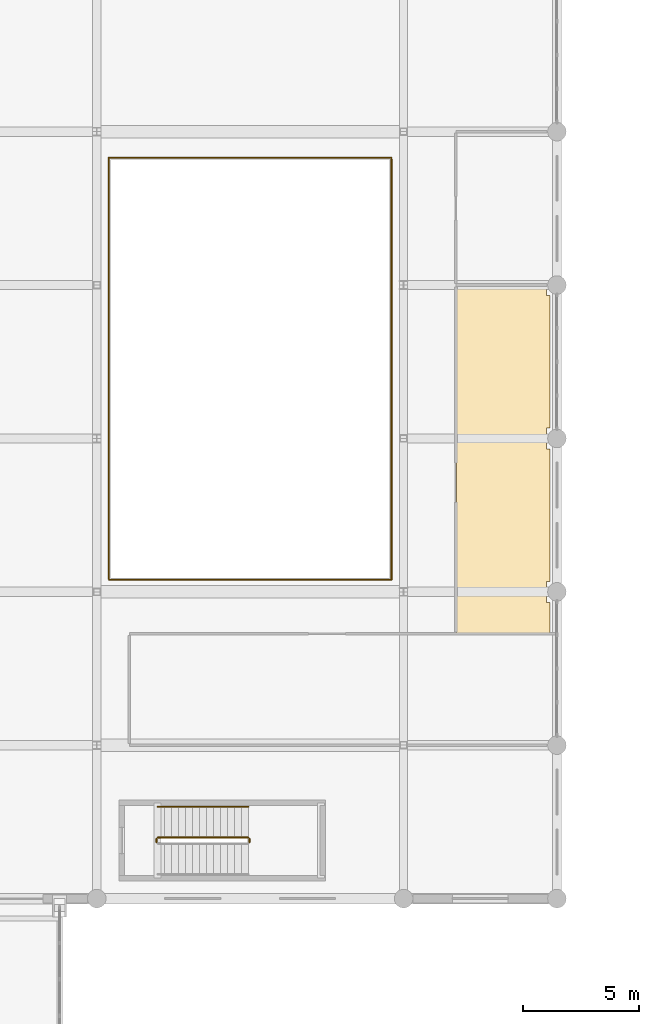
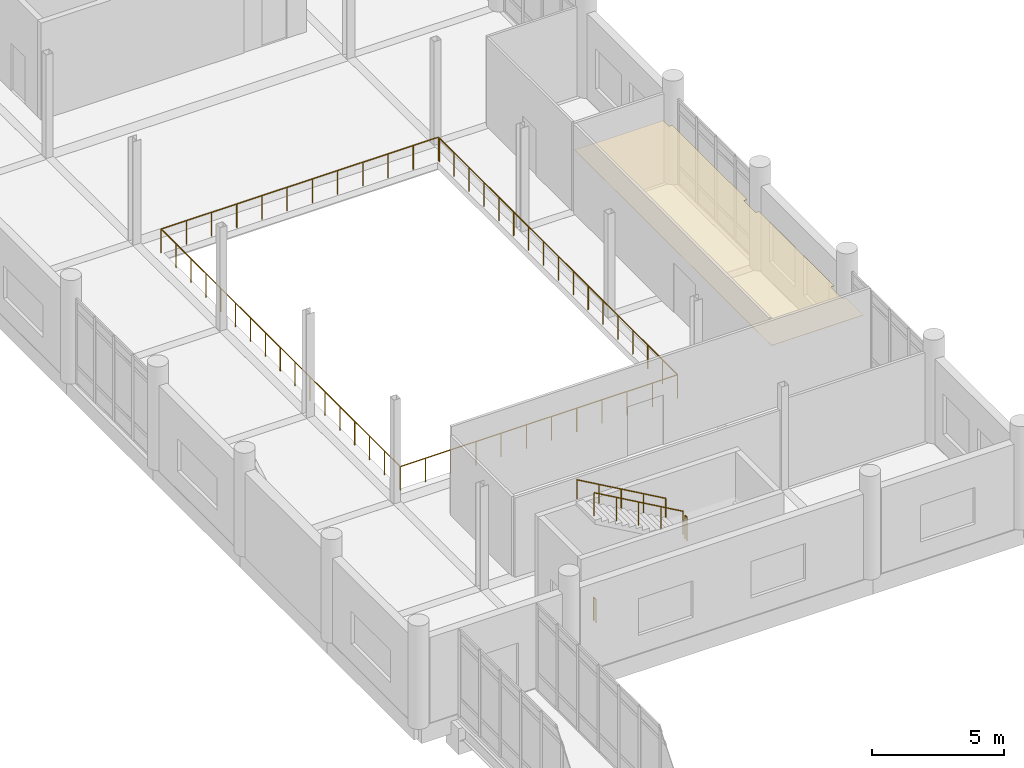
# One storey, part 82 of 101: 6 railings, 1 covering.
"""IFC4 building model written with IfcOpenShell, lengths in metres."""

import ifcopenshell
import ifcopenshell.guid

model = None  # the IFC model being written
_history = None  # IfcOwnerHistory: only IFC2X3 demands one
_inside = {}  # id of a spatial element -> (the spatial element, [elements in it])
_under = {}  # id of a project, library or spatial element -> (it, [spatial elements below it])
_declared = {}  # id of a project -> (the project, [libraries it declares])
_typed = {}  # id of a type object -> (the type object, [elements of that type])
_made_of = {}  # id of a material, layer set ... -> (it, [elements and type objects made of it])


def new_model(schema):
    """Start an empty IFC model of exactly this schema.

    Asked for "IFC4X3", IfcOpenShell would pick the latest addendum, in which some entities
    have other attributes; the version numbers below select the first issue.
    IFC2X3 requires an IfcOwnerHistory on every rooted entity: one is made here for all.
    """
    global model, _history
    if schema == "IFC4X3":
        model = ifcopenshell.file(schema_version=(4, 3, 0, 0))
    else:
        model = ifcopenshell.file(schema=schema)
    _inside.clear()
    _under.clear()
    _declared.clear()
    _typed.clear()
    _made_of.clear()
    _history = None
    if model.schema == "IFC2X3":
        org = make("IfcOrganization", Name="unknown")
        user = make(
            "IfcPersonAndOrganization",
            ThePerson=make("IfcPerson", FamilyName="unknown"),
            TheOrganization=org,
        )
        app = make(
            "IfcApplication",
            ApplicationDeveloper=org,
            Version="unknown",
            ApplicationFullName="unknown",
            ApplicationIdentifier="unknown",
        )
        _history = make(
            "IfcOwnerHistory",
            OwningUser=user,
            OwningApplication=app,
            ChangeAction="ADDED",
            CreationDate=0,
        )
    return model


def make(cls, **values):
    """One entity of the class cls with the attributes given. An attribute that is None is left unset."""
    return model.create_entity(
        cls, **{name: value for name, value in values.items() if value is not None}
    )


def rooted(cls, **values):
    """An entity with a GlobalId (a new one), such as an element, a storey or a relation."""
    return make(cls, GlobalId=ifcopenshell.guid.new(), OwnerHistory=_history, **values)


def si_unit(unit_type, name, prefix=None):
    """IfcSIUnit, for example si_unit("LENGTHUNIT", "METRE", prefix="MILLI")."""
    return make("IfcSIUnit", UnitType=unit_type, Prefix=prefix, Name=name)


def assignment(units):
    """IfcUnitAssignment: the units of a project."""
    return None if units is None else make("IfcUnitAssignment", Units=units)


def point(xyz):
    """IfcCartesianPoint."""
    return None if xyz is None else make("IfcCartesianPoint", Coordinates=xyz)


def direction(xyz):
    """IfcDirection."""
    return None if xyz is None else make("IfcDirection", DirectionRatios=xyz)


def frame(location, z_axis=None, x_axis=None):
    """IfcAxis2Placement3D, a coordinate frame: its origin and axes. An axis left out is left unset."""
    return make(
        "IfcAxis2Placement3D",
        Location=point(location),
        Axis=direction(z_axis),
        RefDirection=direction(x_axis),
    )


def frame_2d(location, x_axis=None):
    """IfcAxis2Placement2D, a coordinate frame in the plane: its origin and x axis."""
    return make(
        "IfcAxis2Placement2D", Location=point(location), RefDirection=direction(x_axis)
    )


def origin():
    """The frame at (0, 0, 0) with its axes left unset."""
    return frame((0.0, 0.0, 0.0))


def origin_2d():
    """The frame at (0, 0) in the plane with its x axis left unset."""
    return frame_2d((0.0, 0.0))


def place(relative_to, where):
    """IfcLocalPlacement: puts the frame where relative to a parent placement (None: the world)."""
    return make(
        "IfcLocalPlacement", PlacementRelTo=relative_to, RelativePlacement=where
    )


def context(
    kind, dimensions, precision=None, world=None, true_north=None, identifier=None
):
    """IfcGeometricRepresentationContext, for example the 3D "Model" context."""
    return make(
        "IfcGeometricRepresentationContext",
        ContextIdentifier=identifier,
        ContextType=kind,
        CoordinateSpaceDimension=dimensions,
        Precision=precision,
        WorldCoordinateSystem=world,
        TrueNorth=true_north,
    )


def subcontext(parent, identifier, kind, view, scale=None):
    """IfcGeometricRepresentationSubContext, for example "Body" below "Model"."""
    return make(
        "IfcGeometricRepresentationSubContext",
        ContextIdentifier=identifier,
        ContextType=kind,
        ParentContext=parent,
        TargetScale=scale,
        TargetView=view,
    )


def project(units=None, contexts=None):
    """IfcProject with its units and contexts."""
    return rooted(
        "IfcProject",
        Name="project",
        RepresentationContexts=contexts,
        UnitsInContext=assignment(units),
    )


def spatial(cls, under=None, at=None, **own):
    """A site, building, storey or space (cls), placed at a placement, below another one or the project."""
    s = rooted(cls, ObjectPlacement=at, **own)
    if under is not None:
        _under.setdefault(under.id(), (under, []))[1].append(s)
    return s


def polyline(points):
    """IfcPolyline through the points."""
    return make("IfcPolyline", Points=[point(p) for p in points])


def profile(cls, at=None, kind="AREA", **sizes):
    """A parametric profile (cls). Its sizes go by their IFC names, for example OverallWidth=200.0."""
    return make(cls, ProfileType=kind, Position=at, **sizes)


def circle(**sizes):
    """IfcCircleProfileDef."""
    return profile("IfcCircleProfileDef", **sizes)


def outline(outer, holes=None, kind="AREA"):
    """IfcArbitraryClosedProfileDef: a profile drawn as a closed curve; with holes, ...WithVoids."""
    if holes is None:
        return make("IfcArbitraryClosedProfileDef", ProfileType=kind, OuterCurve=outer)
    return make(
        "IfcArbitraryProfileDefWithVoids",
        ProfileType=kind,
        OuterCurve=outer,
        InnerCurves=holes,
    )


def extrude(swept, where, along, depth):
    """IfcExtrudedAreaSolid: the profile swept, set in the frame where, extruded along a direction by depth."""
    return make(
        "IfcExtrudedAreaSolid",
        SweptArea=swept,
        Position=where,
        ExtrudedDirection=direction(along),
        Depth=depth,
    )


def shape(context_of_items, identifier, shape_type, items):
    """IfcShapeRepresentation: the items that make up one representation, for example the "Body"."""
    return make(
        "IfcShapeRepresentation",
        ContextOfItems=context_of_items,
        RepresentationIdentifier=identifier,
        RepresentationType=shape_type,
        Items=items,
    )


def material(Name=None, Category=None):
    """IfcMaterial."""
    return make("IfcMaterial", Name=Name, Category=Category)


def layer(
    of_material, thickness, ventilated=None, Name=None, Category=None, Priority=None
):
    """IfcMaterialLayer: one layer of a wall or slab, of a material (None: an air gap)."""
    return make(
        "IfcMaterialLayer",
        Material=of_material,
        LayerThickness=thickness,
        IsVentilated=ventilated,
        Name=Name,
        Category=Category,
        Priority=Priority,
    )


def layer_set(layers, Name=None):
    """IfcMaterialLayerSet."""
    return make("IfcMaterialLayerSet", MaterialLayers=layers, LayerSetName=Name)


def made_of(thing, what):
    """Note that an element or type object is made of a material, layer set ...; save() writes the relation."""
    if what is not None:
        _made_of.setdefault(what.id(), (what, []))[1].append(thing)
    return thing


def type_object(cls, material=None, **own):
    """A type object (cls), such as IfcWallType, which elements share."""
    return made_of(rooted(cls, **own), material)


def element(
    cls,
    number,
    at=None,
    inside=None,
    cuts=None,
    type_object=None,
    material=None,
    context=None,
    identifier="Body",
    shape_type=None,
    held_by="IfcProductDefinitionShape",
    body=None,
    shapes=None,
    **own,
):
    """One element of the class cls, such as IfcWall. Its Tag is "e" and its number.

    at: its placement. inside: the storey or other place that contains it. cuts: it is an
    opening in that element (IfcRelVoidsElement). A single representation is given by context,
    identifier, shape_type and body (its items); several are given by shapes. held_by: the class
    of the entity that holds the representations. save() writes the other relations.
    """
    e = rooted(cls, Tag="e%d" % number, ObjectPlacement=at, **own)
    if body is not None:
        shapes = [shape(context, identifier, shape_type, body)]
    if shapes is not None:
        e.Representation = make(held_by, Representations=shapes)
    if inside is not None:
        _inside.setdefault(inside.id(), (inside, []))[1].append(e)
    if cuts is not None:
        rooted(
            "IfcRelVoidsElement", RelatingBuildingElement=cuts, RelatedOpeningElement=e
        )
    if type_object is not None:
        _typed.setdefault(type_object.id(), (type_object, []))[1].append(e)
    return made_of(e, material)


def aggregate(whole, parts):
    """IfcRelAggregates: a whole, such as a stair, and the parts it consists of."""
    return rooted("IfcRelAggregates", RelatingObject=whole, RelatedObjects=parts)


def save(model, path):
    """Write the relations noted so far, then the file.

    IfcRelAggregates (storeys below a building ...), IfcRelContainedInSpatialStructure (elements
    in a storey), IfcRelDefinesByType, IfcRelAssociatesMaterial and IfcRelDeclares: one each for
    every whole, place, type object, material and project.
    """
    for whole, parts in _under.values():
        aggregate(whole, parts)
    for where, things in _inside.values():
        rooted(
            "IfcRelContainedInSpatialStructure",
            RelatedElements=things,
            RelatingStructure=where,
        )
    for kind, things in _typed.values():
        rooted("IfcRelDefinesByType", RelatedObjects=things, RelatingType=kind)
    for what, things in _made_of.values():
        rooted("IfcRelAssociatesMaterial", RelatedObjects=things, RelatingMaterial=what)
    for by, libraries in _declared.values():
        rooted("IfcRelDeclares", RelatingContext=by, RelatedDefinitions=libraries)
    model.write(path)


model = new_model("IFC4")

# Units and contexts
model_context = context("Model", 3, precision=1e-05, world=origin(), true_north=direction((0.0, 1.0)))
body_context = subcontext(model_context, "Body", "Model", "MODEL_VIEW")
ifc_project = project(units=[si_unit("LENGTHUNIT", "METRE"), si_unit("AREAUNIT", "SQUARE_METRE"), si_unit("VOLUMEUNIT", "CUBIC_METRE"), si_unit("PLANEANGLEUNIT", "RADIAN"), si_unit("MASSUNIT", "GRAM", prefix="KILO")], contexts=[model_context])

# Site, building, storey
site_placement = place(None, origin())
site = spatial("IfcSite", under=ifc_project, at=site_placement, CompositionType="ELEMENT")
building_placement = place(site_placement, origin())
building = spatial("IfcBuilding", under=site, at=building_placement, Name="Dornvale Research Institute", CompositionType="ELEMENT")
storey_placement = place(building_placement, frame((0.0, 0.0, 10.199951171875)))
storey = spatial("IfcBuildingStorey", under=building, at=storey_placement, Name="L02", CompositionType="ELEMENT", Elevation=10.199951171875)

# Covering
ifc_material_1 = material(Name="Mineral-Fibre Acoustic Lay-In Ceiling Tile System")
ifc_layer_1 = layer(ifc_material_1, 0.02001953125)
ifc_layer_set_1 = layer_set([ifc_layer_1], Name="Mineral-Fibre Acoustic Lay-In Ceiling Tile System")
covering_type = type_object("IfcCoveringType", Name="Covering_Acoustic_Ceiling", PredefinedType="CEILING", material=ifc_layer_set_1)
covering_placement = place(storey_placement, frame((0.0, 0.0, 2.85009765625)))
element("IfcCovering", 1, at=covering_placement, inside=storey, type_object=covering_type, Name="L02 Civic Science Seminar Room L02 suspended ceiling", PredefinedType="CEILING", context=body_context, shape_type="SweptSolid", body=[
    extrude(outline(polyline([(65.550048828125, 65.97998046875), (65.550048828125, 65.550048828125), (65.699951171875, 65.550048828125), (65.699951171875, 59.85009765625), (65.550048828125, 59.85009765625), (65.550048828125, 58.949951171875), (65.699951171875, 58.949951171875), (65.699951171875, 53.25), (65.550048828125, 53.25), (65.550048828125, 52.35009765625), (65.699951171875, 52.35009765625), (65.699951171875, 51.02001953125), (61.669921875, 51.02001953125), (61.669921875, 65.97998046875), (65.550048828125, 65.97998046875)])), origin(), (0.0, 0.0, 1.0), 0.02001953125),
])

# Railings
ifc_material_2 = material(Name="Architectural Bronze-Anodized Steel Balustrade", Category="steel")
ifc_layer_2 = layer(ifc_material_2, 0.070068359375)
ifc_layer_set_2 = layer_set([ifc_layer_2], Name="Architectural Bronze-Anodized Steel Balustrade")
railing_type_1 = type_object("IfcRailingType", Name="Railing_Atrium_Balustrade_1120", PredefinedType="BALUSTRADE", material=ifc_layer_set_2)
railing_1_placement = place(storey_placement, frame((46.719970703125, 53.320068359375, 0.0)))
element("IfcRailing", 2, at=railing_1_placement, inside=storey, type_object=railing_type_1, Name="L02 BAL-ATR balustrade SE", PredefinedType="BALUSTRADE", context=body_context, shape_type="SweptSolid", body=[
    extrude(circle(Radius=0.02392578125, at=origin_2d()), frame((0.0, 0.0, 1.09619140625), z_axis=(1.0, 0.0, 0.0), x_axis=(0.0, 1.0, 0.0)), (0.0, 0.0, 1.0), 12.159912109375),
    extrude(circle(Radius=0.02392578125, at=origin_2d()), frame((12.159912109375, 0.0, 1.09619140625), z_axis=(0.0, 1.0, 0.0), x_axis=(-1.0, 0.0, 0.0)), (0.0, 0.0, 1.0), 18.099853515625),
    extrude(circle(Radius=0.02099609375, at=origin_2d()), origin(), (0.0, 0.0, 1.0), 1.072021484375),
    extrude(circle(Radius=0.02099609375, at=origin_2d()), frame((1.10546875, 0.0, 0.0)), (0.0, 0.0, 1.0), 1.072021484375),
    extrude(circle(Radius=0.02099609375, at=origin_2d()), frame((2.2109375, 0.0, 0.0)), (0.0, 0.0, 1.0), 1.072021484375),
    extrude(circle(Radius=0.02099609375, at=origin_2d()), frame((3.31640625, 0.0, 0.0)), (0.0, 0.0, 1.0), 1.072021484375),
    extrude(circle(Radius=0.02099609375, at=origin_2d()), frame((4.421875, 0.0, 0.0)), (0.0, 0.0, 1.0), 1.072021484375),
    extrude(circle(Radius=0.02099609375, at=origin_2d()), frame((5.52734375, 0.0, 0.0)), (0.0, 0.0, 1.0), 1.072021484375),
    extrude(circle(Radius=0.02099609375, at=origin_2d()), frame((6.632568359375, 0.0, 0.0)), (0.0, 0.0, 1.0), 1.072021484375),
    extrude(circle(Radius=0.02099609375, at=origin_2d()), frame((7.738037109375, 0.0, 0.0)), (0.0, 0.0, 1.0), 1.072021484375),
    extrude(circle(Radius=0.02099609375, at=origin_2d()), frame((8.843505859375, 0.0, 0.0)), (0.0, 0.0, 1.0), 1.072021484375),
    extrude(circle(Radius=0.02099609375, at=origin_2d()), frame((9.948974609375, 0.0, 0.0)), (0.0, 0.0, 1.0), 1.072021484375),
    extrude(circle(Radius=0.02099609375, at=origin_2d()), frame((11.054443359375, 0.0, 0.0)), (0.0, 0.0, 1.0), 1.072021484375),
    extrude(circle(Radius=0.02099609375, at=origin_2d()), frame((12.159912109375, 0.0, 0.0)), (0.0, 0.0, 1.0), 1.072021484375),
    extrude(circle(Radius=0.02099609375, at=origin_2d()), frame((12.159912109375, 1.13134765625, 0.0)), (0.0, 0.0, 1.0), 1.072021484375),
    extrude(circle(Radius=0.02099609375, at=origin_2d()), frame((12.159912109375, 2.262451171875, 0.0)), (0.0, 0.0, 1.0), 1.072021484375),
    extrude(circle(Radius=0.02099609375, at=origin_2d()), frame((12.159912109375, 3.393798828125, 0.0)), (0.0, 0.0, 1.0), 1.072021484375),
    extrude(circle(Radius=0.02099609375, at=origin_2d()), frame((12.159912109375, 4.52490234375, 0.0)), (0.0, 0.0, 1.0), 1.072021484375),
    extrude(circle(Radius=0.02099609375, at=origin_2d()), frame((12.159912109375, 5.65625, 0.0)), (0.0, 0.0, 1.0), 1.072021484375),
    extrude(circle(Radius=0.02099609375, at=origin_2d()), frame((12.159912109375, 6.787353515625, 0.0)), (0.0, 0.0, 1.0), 1.072021484375),
    extrude(circle(Radius=0.02099609375, at=origin_2d()), frame((12.159912109375, 7.918701171875, 0.0)), (0.0, 0.0, 1.0), 1.072021484375),
    extrude(circle(Radius=0.02099609375, at=origin_2d()), frame((12.159912109375, 9.0498046875, 0.0)), (0.0, 0.0, 1.0), 1.072021484375),
    extrude(circle(Radius=0.02099609375, at=origin_2d()), frame((12.159912109375, 10.18115234375, 0.0)), (0.0, 0.0, 1.0), 1.072021484375),
    extrude(circle(Radius=0.02099609375, at=origin_2d()), frame((12.159912109375, 11.3125, 0.0)), (0.0, 0.0, 1.0), 1.072021484375),
    extrude(circle(Radius=0.02099609375, at=origin_2d()), frame((12.159912109375, 12.443603515625, 0.0)), (0.0, 0.0, 1.0), 1.072021484375),
    extrude(circle(Radius=0.02099609375, at=origin_2d()), frame((12.159912109375, 13.574951171875, 0.0)), (0.0, 0.0, 1.0), 1.072021484375),
    extrude(circle(Radius=0.02099609375, at=origin_2d()), frame((12.159912109375, 14.7060546875, 0.0)), (0.0, 0.0, 1.0), 1.072021484375),
    extrude(circle(Radius=0.02099609375, at=origin_2d()), frame((12.159912109375, 15.83740234375, 0.0)), (0.0, 0.0, 1.0), 1.072021484375),
    extrude(circle(Radius=0.02099609375, at=origin_2d()), frame((12.159912109375, 16.968505859375, 0.0)), (0.0, 0.0, 1.0), 1.072021484375),
    extrude(circle(Radius=0.02099609375, at=origin_2d()), frame((12.159912109375, 18.099853515625, 0.0)), (0.0, 0.0, 1.0), 1.072021484375),
])
railing_2_placement = place(storey_placement, frame((58.8798828125, 71.47998046875, 0.0)))
element("IfcRailing", 3, at=railing_2_placement, inside=storey, type_object=railing_type_1, Name="L02 BAL-ATR balustrade NW", PredefinedType="BALUSTRADE", context=body_context, shape_type="SweptSolid", body=[
    extrude(circle(Radius=0.02392578125, at=origin_2d()), frame((0.0, 0.0, 1.09619140625), z_axis=(-1.0, 0.0, 0.0), x_axis=(0.0, -1.0, 0.0)), (0.0, 0.0, 1.0), 12.159912109375),
    extrude(circle(Radius=0.02392578125, at=origin_2d()), frame((-12.159912109375, 0.0, 1.09619140625), z_axis=(0.0, -1.0, 0.0), x_axis=(1.0, 0.0, 0.0)), (0.0, 0.0, 1.0), 18.10009765625),
    extrude(circle(Radius=0.02099609375, at=origin_2d()), origin(), (0.0, 0.0, 1.0), 1.072021484375),
    extrude(circle(Radius=0.02099609375, at=origin_2d()), frame((-1.10546875, 0.0, 0.0)), (0.0, 0.0, 1.0), 1.072021484375),
    extrude(circle(Radius=0.02099609375, at=origin_2d()), frame((-2.2109375, 0.0, 0.0)), (0.0, 0.0, 1.0), 1.072021484375),
    extrude(circle(Radius=0.02099609375, at=origin_2d()), frame((-3.31640625, 0.0, 0.0)), (0.0, 0.0, 1.0), 1.072021484375),
    extrude(circle(Radius=0.02099609375, at=origin_2d()), frame((-4.421875, 0.0, 0.0)), (0.0, 0.0, 1.0), 1.072021484375),
    extrude(circle(Radius=0.02099609375, at=origin_2d()), frame((-5.52734375, 0.0, 0.0)), (0.0, 0.0, 1.0), 1.072021484375),
    extrude(circle(Radius=0.02099609375, at=origin_2d()), frame((-6.632568359375, 0.0, 0.0)), (0.0, 0.0, 1.0), 1.072021484375),
    extrude(circle(Radius=0.02099609375, at=origin_2d()), frame((-7.738037109375, 0.0, 0.0)), (0.0, 0.0, 1.0), 1.072021484375),
    extrude(circle(Radius=0.02099609375, at=origin_2d()), frame((-8.843505859375, 0.0, 0.0)), (0.0, 0.0, 1.0), 1.072021484375),
    extrude(circle(Radius=0.02099609375, at=origin_2d()), frame((-9.948974609375, 0.0, 0.0)), (0.0, 0.0, 1.0), 1.072021484375),
    extrude(circle(Radius=0.02099609375, at=origin_2d()), frame((-11.054443359375, 0.0, 0.0)), (0.0, 0.0, 1.0), 1.072021484375),
    extrude(circle(Radius=0.02099609375, at=origin_2d()), frame((-12.159912109375, 0.0, 0.0)), (0.0, 0.0, 1.0), 1.072021484375),
    extrude(circle(Radius=0.02099609375, at=origin_2d()), frame((-12.159912109375, -1.13134765625, 0.0)), (0.0, 0.0, 1.0), 1.072021484375),
    extrude(circle(Radius=0.02099609375, at=origin_2d()), frame((-12.159912109375, -2.262451171875, 0.0)), (0.0, 0.0, 1.0), 1.072021484375),
    extrude(circle(Radius=0.02099609375, at=origin_2d()), frame((-12.159912109375, -3.393798828125, 0.0)), (0.0, 0.0, 1.0), 1.072021484375),
    extrude(circle(Radius=0.02099609375, at=origin_2d()), frame((-12.159912109375, -4.52490234375, 0.0)), (0.0, 0.0, 1.0), 1.072021484375),
    extrude(circle(Radius=0.02099609375, at=origin_2d()), frame((-12.159912109375, -5.65625, 0.0)), (0.0, 0.0, 1.0), 1.072021484375),
    extrude(circle(Radius=0.02099609375, at=origin_2d()), frame((-12.159912109375, -6.78759765625, 0.0)), (0.0, 0.0, 1.0), 1.072021484375),
    extrude(circle(Radius=0.02099609375, at=origin_2d()), frame((-12.159912109375, -7.918701171875, 0.0)), (0.0, 0.0, 1.0), 1.072021484375),
    extrude(circle(Radius=0.02099609375, at=origin_2d()), frame((-12.159912109375, -9.050048828125, 0.0)), (0.0, 0.0, 1.0), 1.072021484375),
    extrude(circle(Radius=0.02099609375, at=origin_2d()), frame((-12.159912109375, -10.181396484375, 0.0)), (0.0, 0.0, 1.0), 1.072021484375),
    extrude(circle(Radius=0.02099609375, at=origin_2d()), frame((-12.159912109375, -11.3125, 0.0)), (0.0, 0.0, 1.0), 1.072021484375),
    extrude(circle(Radius=0.02099609375, at=origin_2d()), frame((-12.159912109375, -12.44384765625, 0.0)), (0.0, 0.0, 1.0), 1.072021484375),
    extrude(circle(Radius=0.02099609375, at=origin_2d()), frame((-12.159912109375, -13.5751953125, 0.0)), (0.0, 0.0, 1.0), 1.072021484375),
    extrude(circle(Radius=0.02099609375, at=origin_2d()), frame((-12.159912109375, -14.706298828125, 0.0)), (0.0, 0.0, 1.0), 1.072021484375),
    extrude(circle(Radius=0.02099609375, at=origin_2d()), frame((-12.159912109375, -15.837646484375, 0.0)), (0.0, 0.0, 1.0), 1.072021484375),
    extrude(circle(Radius=0.02099609375, at=origin_2d()), frame((-12.159912109375, -16.96875, 0.0)), (0.0, 0.0, 1.0), 1.072021484375),
    extrude(circle(Radius=0.02099609375, at=origin_2d()), frame((-12.159912109375, -18.10009765625, 0.0)), (0.0, 0.0, 1.0), 1.072021484375),
])
ifc_material_3 = material(Name="Galvanized Painted Tubular Steel Stair Rail", Category="steel")
ifc_layer_3 = layer(ifc_material_3, 0.050048828125)
ifc_layer_set_3 = layer_set([ifc_layer_3], Name="Galvanized Painted Tubular Steel Stair Rail")
railing_type_2 = type_object("IfcRailingType", Name="Railing_Stair_Guard_1100", PredefinedType="GUARDRAIL", material=ifc_layer_set_3)
railing_3_placement = place(storey_placement, frame((52.77001953125, 42.02001953125, 2.400146484375)))
element("IfcRailing", 4, at=railing_3_placement, inside=storey, type_object=railing_type_2, Name="L02 ST-7 stair guard 2", PredefinedType="GUARDRAIL", context=body_context, shape_type="SweptSolid", body=[
    extrude(circle(Radius=0.02392578125, at=origin_2d()), frame((0.0, 0.0, 1.076171875), z_axis=(0.0, 1.0, 0.0), x_axis=(-1.0, 0.0, 0.0)), (0.0, 0.0, 1.0), 0.159912109375),
    extrude(circle(Radius=0.02099609375, at=origin_2d()), origin(), (0.0, 0.0, 1.0), 1.052001953125),
    extrude(circle(Radius=0.02099609375, at=origin_2d()), frame((0.0, 0.159912109375, 0.0)), (0.0, 0.0, 1.0), 1.052001953125),
])
railing_4_placement = place(storey_placement, frame((52.719970703125, 42.22998046875, 2.571533203125)))
element("IfcRailing", 5, at=railing_4_placement, inside=storey, type_object=railing_type_2, Name="L02 ST-7 stair guard 3", PredefinedType="GUARDRAIL", context=body_context, shape_type="SweptSolid", body=[
    extrude(circle(Radius=0.02392578125, at=origin_2d()), frame((0.0, 0.0, 1.076171875), z_axis=(-0.868243142124, 0.0, 0.496138938357), x_axis=(0.0, -1.0, 0.0)), (0.0, 0.0, 1.0), 4.49169921875),
    extrude(circle(Radius=0.02099609375, at=origin_2d()), origin(), (0.0, 0.0, 1.0), 1.052001953125),
    extrude(circle(Radius=0.02099609375, at=origin_2d()), frame((-0.97509765625, 0.0, 0.55712890625)), (0.0, 0.0, 1.0), 1.052001953125),
    extrude(circle(Radius=0.02099609375, at=origin_2d()), frame((-1.949951171875, 0.0, 1.1142578125)), (0.0, 0.0, 1.0), 1.052001953125),
    extrude(circle(Radius=0.02099609375, at=origin_2d()), frame((-2.9248046875, 0.0, 1.67138671875)), (0.0, 0.0, 1.0), 1.052001953125),
    extrude(circle(Radius=0.02099609375, at=origin_2d()), frame((-3.89990234375, 0.0, 2.228515625)), (0.0, 0.0, 1.0), 1.052001953125),
])
railing_5_placement = place(storey_placement, frame((48.77001953125, 42.02001953125, 0.0)))
element("IfcRailing", 6, at=railing_5_placement, inside=storey, type_object=railing_type_2, Name="L02 ST-7 stair guard 4", PredefinedType="GUARDRAIL", context=body_context, shape_type="SweptSolid", body=[
    extrude(circle(Radius=0.02392578125, at=origin_2d()), frame((0.0, 0.0, 1.076171875), z_axis=(0.0, 1.0, 0.0), x_axis=(-1.0, 0.0, 0.0)), (0.0, 0.0, 1.0), 0.159912109375),
    extrude(circle(Radius=0.02099609375, at=origin_2d()), origin(), (0.0, 0.0, 1.0), 1.052001953125),
    extrude(circle(Radius=0.02099609375, at=origin_2d()), frame((0.0, 0.159912109375, 0.0)), (0.0, 0.0, 1.0), 1.052001953125),
])
ifc_material_4 = material(Name="Galvanized Painted Tubular Steel Stair Rail", Category="steel")
ifc_layer_4 = layer(ifc_material_4, 0.044921875)
ifc_layer_set_4 = layer_set([ifc_layer_4], Name="Galvanized Painted Tubular Steel Stair Rail")
railing_type_3 = type_object("IfcRailingType", Name="Railing_Stair_Handrail_900", PredefinedType="HANDRAIL", material=ifc_layer_set_4)
railing_6_placement = place(storey_placement, frame((52.719970703125, 43.550048828125, 2.571533203125)))
element("IfcRailing", 7, at=railing_6_placement, inside=storey, type_object=railing_type_3, Name="L02 ST-7 stair handrail 2", PredefinedType="HANDRAIL", context=body_context, shape_type="SweptSolid", body=[
    extrude(circle(Radius=0.02392578125, at=origin_2d()), frame((0.0, 0.0, 0.8759765625), z_axis=(-0.868243142124, 0.0, 0.496138938357), x_axis=(0.0, -1.0, 0.0)), (0.0, 0.0, 1.0), 4.49169921875),
    extrude(circle(Radius=0.02099609375, at=origin_2d()), origin(), (0.0, 0.0, 1.0), 0.851806640625),
    extrude(circle(Radius=0.02099609375, at=origin_2d()), frame((-0.97509765625, 0.0, 0.55712890625)), (0.0, 0.0, 1.0), 0.851806640625),
    extrude(circle(Radius=0.02099609375, at=origin_2d()), frame((-1.949951171875, 0.0, 1.1142578125)), (0.0, 0.0, 1.0), 0.851806640625),
    extrude(circle(Radius=0.02099609375, at=origin_2d()), frame((-2.9248046875, 0.0, 1.67138671875)), (0.0, 0.0, 1.0), 0.851806640625),
    extrude(circle(Radius=0.02099609375, at=origin_2d()), frame((-3.89990234375, 0.0, 2.228515625)), (0.0, 0.0, 1.0), 0.851806640625),
])

save(model, "model.ifc")
